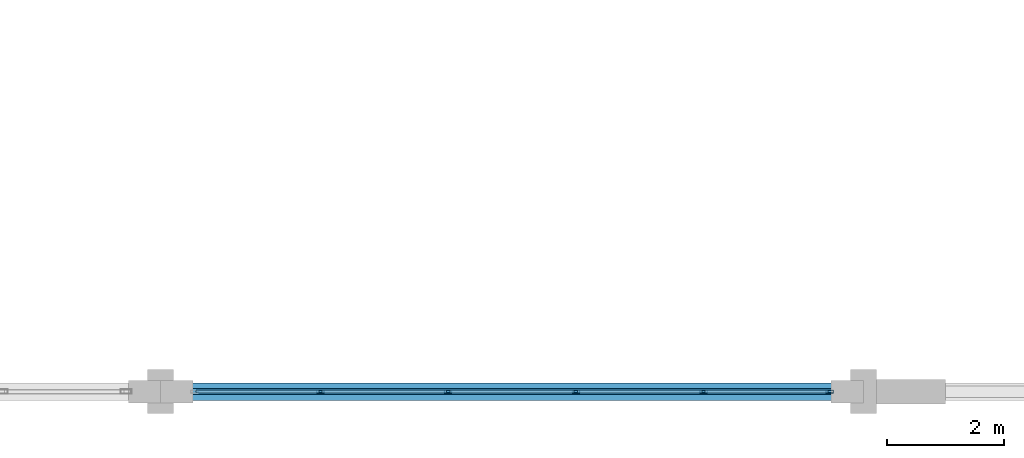
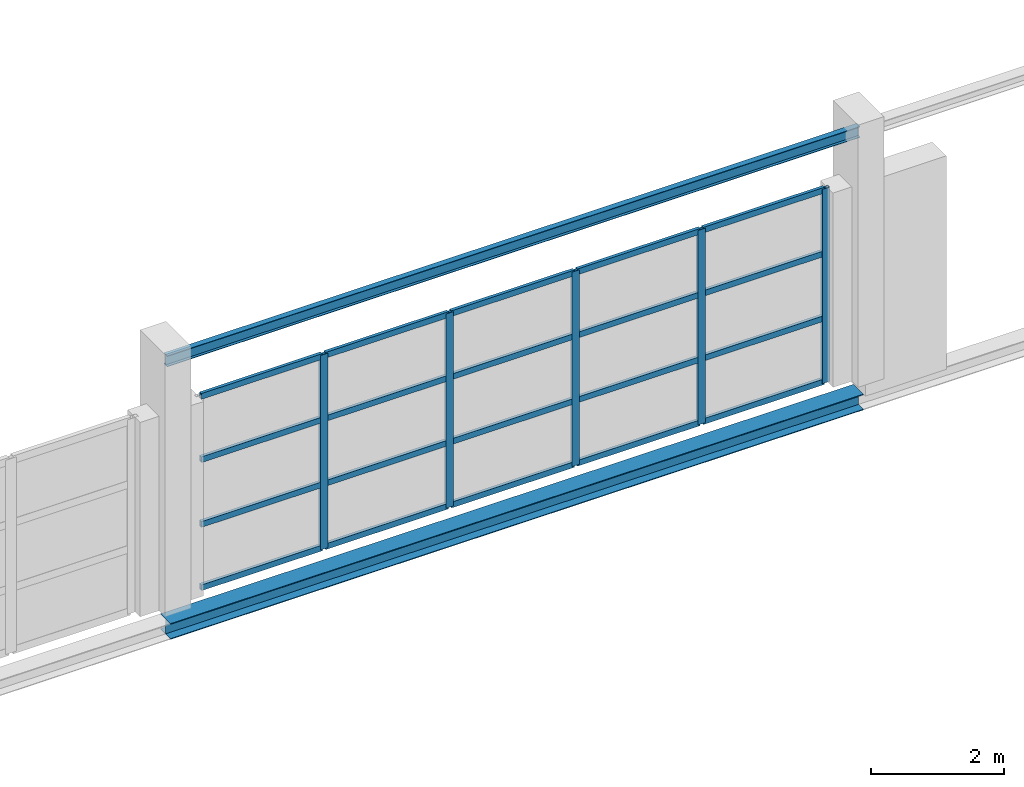
# One storey, part 75 of 147: 25 members, 2 beams, 1 element without a shape of its own.
"""IFC4 building model written with IfcOpenShell, lengths in metres."""

from ifc_helpers import new_model, si_unit, direction, frame, origin, origin_2d, place, context, subcontext, project, spatial, hollow_rectangle, i_section, extrude, material, layer, layer_set, material_profile, profile_set, type_object, element, aggregate, save


model = new_model("IFC4")

# Units and contexts
model_context = context("Model", 3, precision=1e-05, world=origin(), true_north=direction((0.0, 1.0)))
body_context = subcontext(model_context, "Body", "Model", "MODEL_VIEW")
ifc_project = project(units=[si_unit("LENGTHUNIT", "METRE"), si_unit("AREAUNIT", "SQUARE_METRE"), si_unit("VOLUMEUNIT", "CUBIC_METRE"), si_unit("PLANEANGLEUNIT", "RADIAN"), si_unit("MASSUNIT", "GRAM", prefix="KILO")], contexts=[model_context])

# Site, building, storey
site_placement = place(None, origin())
site = spatial("IfcSite", under=ifc_project, at=site_placement, CompositionType="ELEMENT")
building_placement = place(site_placement, origin())
building = spatial("IfcBuilding", under=site, at=building_placement, Name="Zilviju Railside Exhibition Hall", CompositionType="ELEMENT")
storey_placement = place(building_placement, frame((0.0, 0.0, 8.39990234375)))
storey = spatial("IfcBuildingStorey", under=building, at=storey_placement, Name="L03", CompositionType="ELEMENT", Elevation=8.39990234375)

# Beams
ifc_material_1 = material(Name="Steel S355J2", Category="steel")
ifc_material_profile_1 = material_profile(ifc_material_1, i_section(OverallWidth=0.300048828125, OverallDepth=0.2900390625, WebThickness=0.008544921875, FlangeThickness=0.013916015625, at=origin_2d()), Name="HEA 300")
ifc_profile_set_1 = profile_set([ifc_material_profile_1], Name="Steel S355J2")
beam_type_1 = type_object("IfcBeamType", Name="BM-HEA300", PredefinedType="SPANDREL", material=ifc_profile_set_1)
beam_1_placement = place(storey_placement, frame((180.0, 0.0, -0.48486328125), z_axis=(1.0, 0.0, 0.0), x_axis=(0.0, 1.0, 0.0)))
element("IfcBeam", 1, at=beam_1_placement, inside=storey, type_object=beam_type_1, Name="Primary Girder L03 Y=0.0 (180.0..192.0)", PredefinedType="SPANDREL", context=body_context, shape_type="SweptSolid", body=[
    extrude(i_section(OverallWidth=0.300048828125, OverallDepth=0.2900390625, WebThickness=0.008544921875, FlangeThickness=0.013916015625, at=origin_2d()), origin(), (0.0, 0.0, 1.0), 12.0),
])
ifc_material_profile_2 = material_profile(ifc_material_1, i_section(OverallWidth=0.10009765625, OverallDepth=0.199951171875, WebThickness=0.005615234375, FlangeThickness=0.008544921875, at=origin_2d()), Name="IPE 200")
ifc_profile_set_2 = profile_set([ifc_material_profile_2], Name="Steel S355J2")
beam_type_2 = type_object("IfcBeamType", Name="BM-IPE200", PredefinedType="LINTEL", material=ifc_profile_set_2)
beam_2_placement = place(storey_placement, frame((180.0, 0.0, 4.400146484375), z_axis=(1.0, 0.0, 0.0), x_axis=(0.0, 1.0, 0.0)))
element("IfcBeam", 2, at=beam_2_placement, inside=storey, type_object=beam_type_2, Name="Eave & Portal Spandrel Lintel 009", PredefinedType="LINTEL", context=body_context, shape_type="SweptSolid", body=[
    extrude(i_section(OverallWidth=0.10009765625, OverallDepth=0.199951171875, WebThickness=0.005615234375, FlangeThickness=0.008544921875, at=origin_2d()), origin(), (0.0, 0.0, 1.0), 12.0),
])

# Curtain wall, members
ifc_material_2 = material(Name="Thermally broken aluminium-steel triple-glazed curtain wall", Category="steel")
ifc_layer = layer(ifc_material_2, 0.179931640625)
ifc_layer_set = layer_set([ifc_layer], Name="Thermally broken aluminium-steel triple-glazed curtain wall")
curtain_wall_type = type_object("IfcCurtainWallType", Name="CW-BAY-02", PredefinedType="USERDEFINED", material=ifc_layer_set)
curtain_wall_placement = place(storey_placement, origin())
curtain_wall = element("IfcCurtainWall", 3, at=curtain_wall_placement, inside=storey, type_object=curtain_wall_type, Name="South Hall Facade Curtain Wall L03 (180..192)", ObjectType="GLAZED CURTAIN WALL", PredefinedType="USERDEFINED")
ifc_material_3 = material(Name="Thermally broken anodized aluminium mullion", Category="aluminium")
ifc_material_profile_3 = material_profile(ifc_material_3, hollow_rectangle(XDim=0.054931640625, YDim=0.1298828125, WallThickness=0.0048828125, at=origin_2d()), Name="MULLION 130x55x5")
ifc_profile_set_3 = profile_set([ifc_material_profile_3], Name="Thermally broken anodized aluminium mullion")
member_type_1 = type_object("IfcMemberType", Name="CWM-55x130", PredefinedType="MULLION", material=ifc_profile_set_3)
member_1_placement = place(storey_placement, frame((191.422607421875, 0.0, 0.0), z_axis=(0.0, 0.0, 1.0), x_axis=(0.0, -1.0, 0.0)))
member_1 = element("IfcMember", 4, at=member_1_placement, type_object=member_type_1, Name="CW-02 mullion 1", PredefinedType="MULLION", context=body_context, shape_type="SweptSolid", body=[
    extrude(hollow_rectangle(XDim=0.054931640625, YDim=0.1298828125, WallThickness=0.0048828125, at=origin_2d()), origin(), (0.0, 0.0, 1.0), 3.56005859375),
])
member_2_placement = place(storey_placement, frame((189.27001953125, 0.0, 0.0), z_axis=(0.0, 0.0, 1.0), x_axis=(0.0, -1.0, 0.0)))
member_2 = element("IfcMember", 5, at=member_2_placement, type_object=member_type_1, Name="CW-02 mullion 2", PredefinedType="MULLION", context=body_context, shape_type="SweptSolid", body=[
    extrude(hollow_rectangle(XDim=0.054931640625, YDim=0.1298828125, WallThickness=0.0048828125, at=origin_2d()), origin(), (0.0, 0.0, 1.0), 3.56005859375),
])
member_3_placement = place(storey_placement, frame((187.090087890625, 0.0, 0.0), z_axis=(0.0, 0.0, 1.0), x_axis=(0.0, -1.0, 0.0)))
member_3 = element("IfcMember", 6, at=member_3_placement, type_object=member_type_1, Name="CW-02 mullion 3", PredefinedType="MULLION", context=body_context, shape_type="SweptSolid", body=[
    extrude(hollow_rectangle(XDim=0.054931640625, YDim=0.1298828125, WallThickness=0.0048828125, at=origin_2d()), origin(), (0.0, 0.0, 1.0), 3.56005859375),
])
member_4_placement = place(storey_placement, frame((184.909912109375, 0.0, 0.0), z_axis=(0.0, 0.0, 1.0), x_axis=(0.0, -1.0, 0.0)))
member_4 = element("IfcMember", 7, at=member_4_placement, type_object=member_type_1, Name="CW-02 mullion 4", PredefinedType="MULLION", context=body_context, shape_type="SweptSolid", body=[
    extrude(hollow_rectangle(XDim=0.054931640625, YDim=0.1298828125, WallThickness=0.0048828125, at=origin_2d()), origin(), (0.0, 0.0, 1.0), 3.56005859375),
])
member_5_placement = place(storey_placement, frame((182.72998046875, 0.0, 0.0), z_axis=(0.0, 0.0, 1.0), x_axis=(0.0, -1.0, 0.0)))
member_5 = element("IfcMember", 8, at=member_5_placement, type_object=member_type_1, Name="CW-02 mullion 5", PredefinedType="MULLION", context=body_context, shape_type="SweptSolid", body=[
    extrude(hollow_rectangle(XDim=0.054931640625, YDim=0.1298828125, WallThickness=0.0048828125, at=origin_2d()), origin(), (0.0, 0.0, 1.0), 3.56005859375),
])
ifc_material_4 = material(Name="Thermally broken anodized aluminium transom", Category="aluminium")
ifc_material_profile_4 = material_profile(ifc_material_4, hollow_rectangle(XDim=0.054931640625, YDim=0.10498046875, WallThickness=0.0048828125, at=origin_2d()), Name="TRANSOM 105x55x5")
ifc_profile_set_4 = profile_set([ifc_material_profile_4], Name="Thermally broken anodized aluminium transom")
member_type_2 = type_object("IfcMemberType", Name="CWT-55x105", PredefinedType="USERDEFINED", material=ifc_profile_set_4)
member_6_placement = place(storey_placement, frame((191.39501953125, 0.0, 0.027587890625), z_axis=(-1.0, 0.0, 0.0), x_axis=(0.0, -1.0, 0.0)))
member_6 = element("IfcMember", 9, at=member_6_placement, type_object=member_type_2, Name="CW-02 transom 1.1", ObjectType="TRANSOM", PredefinedType="USERDEFINED", context=body_context, shape_type="SweptSolid", body=[
    extrude(hollow_rectangle(XDim=0.054931640625, YDim=0.10498046875, WallThickness=0.0048828125, at=origin_2d()), origin(), (0.0, 0.0, 1.0), 2.097412109375),
])
member_7_placement = place(storey_placement, frame((191.39501953125, 0.0, 1.18701171875), z_axis=(-1.0, 0.0, 0.0), x_axis=(0.0, -1.0, 0.0)))
member_7 = element("IfcMember", 10, at=member_7_placement, type_object=member_type_2, Name="CW-02 transom 1.2", ObjectType="TRANSOM", PredefinedType="USERDEFINED", context=body_context, shape_type="SweptSolid", body=[
    extrude(hollow_rectangle(XDim=0.054931640625, YDim=0.10498046875, WallThickness=0.0048828125, at=origin_2d()), origin(), (0.0, 0.0, 1.0), 2.097412109375),
])
member_8_placement = place(storey_placement, frame((191.39501953125, 0.0, 2.373046875), z_axis=(-1.0, 0.0, 0.0), x_axis=(0.0, -1.0, 0.0)))
member_8 = element("IfcMember", 11, at=member_8_placement, type_object=member_type_2, Name="CW-02 transom 1.3", ObjectType="TRANSOM", PredefinedType="USERDEFINED", context=body_context, shape_type="SweptSolid", body=[
    extrude(hollow_rectangle(XDim=0.054931640625, YDim=0.10498046875, WallThickness=0.0048828125, at=origin_2d()), origin(), (0.0, 0.0, 1.0), 2.097412109375),
])
member_9_placement = place(storey_placement, frame((191.39501953125, 0.0, 3.53271484375), z_axis=(-1.0, 0.0, 0.0), x_axis=(0.0, -1.0, 0.0)))
member_9 = element("IfcMember", 12, at=member_9_placement, type_object=member_type_2, Name="CW-02 transom 1.4", ObjectType="TRANSOM", PredefinedType="USERDEFINED", context=body_context, shape_type="SweptSolid", body=[
    extrude(hollow_rectangle(XDim=0.054931640625, YDim=0.10498046875, WallThickness=0.0048828125, at=origin_2d()), origin(), (0.0, 0.0, 1.0), 2.097412109375),
])
member_10_placement = place(storey_placement, frame((189.242431640625, 0.0, 0.027587890625), z_axis=(-1.0, 0.0, 0.0), x_axis=(0.0, -1.0, 0.0)))
member_10 = element("IfcMember", 13, at=member_10_placement, type_object=member_type_2, Name="CW-02 transom 2.1", ObjectType="TRANSOM", PredefinedType="USERDEFINED", context=body_context, shape_type="SweptSolid", body=[
    extrude(hollow_rectangle(XDim=0.054931640625, YDim=0.10498046875, WallThickness=0.0048828125, at=origin_2d()), origin(), (0.0, 0.0, 1.0), 2.125),
])
member_11_placement = place(storey_placement, frame((189.242431640625, 0.0, 1.18701171875), z_axis=(-1.0, 0.0, 0.0), x_axis=(0.0, -1.0, 0.0)))
member_11 = element("IfcMember", 14, at=member_11_placement, type_object=member_type_2, Name="CW-02 transom 2.2", ObjectType="TRANSOM", PredefinedType="USERDEFINED", context=body_context, shape_type="SweptSolid", body=[
    extrude(hollow_rectangle(XDim=0.054931640625, YDim=0.10498046875, WallThickness=0.0048828125, at=origin_2d()), origin(), (0.0, 0.0, 1.0), 2.125),
])
member_12_placement = place(storey_placement, frame((189.242431640625, 0.0, 2.373046875), z_axis=(-1.0, 0.0, 0.0), x_axis=(0.0, -1.0, 0.0)))
member_12 = element("IfcMember", 15, at=member_12_placement, type_object=member_type_2, Name="CW-02 transom 2.3", ObjectType="TRANSOM", PredefinedType="USERDEFINED", context=body_context, shape_type="SweptSolid", body=[
    extrude(hollow_rectangle(XDim=0.054931640625, YDim=0.10498046875, WallThickness=0.0048828125, at=origin_2d()), origin(), (0.0, 0.0, 1.0), 2.125),
])
member_13_placement = place(storey_placement, frame((189.242431640625, 0.0, 3.53271484375), z_axis=(-1.0, 0.0, 0.0), x_axis=(0.0, -1.0, 0.0)))
member_13 = element("IfcMember", 16, at=member_13_placement, type_object=member_type_2, Name="CW-02 transom 2.4", ObjectType="TRANSOM", PredefinedType="USERDEFINED", context=body_context, shape_type="SweptSolid", body=[
    extrude(hollow_rectangle(XDim=0.054931640625, YDim=0.10498046875, WallThickness=0.0048828125, at=origin_2d()), origin(), (0.0, 0.0, 1.0), 2.125),
])
member_14_placement = place(storey_placement, frame((187.0625, 0.0, 0.027587890625), z_axis=(-1.0, 0.0, 0.0), x_axis=(0.0, -1.0, 0.0)))
member_14 = element("IfcMember", 17, at=member_14_placement, type_object=member_type_2, Name="CW-02 transom 3.1", ObjectType="TRANSOM", PredefinedType="USERDEFINED", context=body_context, shape_type="SweptSolid", body=[
    extrude(hollow_rectangle(XDim=0.054931640625, YDim=0.10498046875, WallThickness=0.0048828125, at=origin_2d()), origin(), (0.0, 0.0, 1.0), 2.125),
])
member_15_placement = place(storey_placement, frame((187.0625, 0.0, 1.18701171875), z_axis=(-1.0, 0.0, 0.0), x_axis=(0.0, -1.0, 0.0)))
member_15 = element("IfcMember", 18, at=member_15_placement, type_object=member_type_2, Name="CW-02 transom 3.2", ObjectType="TRANSOM", PredefinedType="USERDEFINED", context=body_context, shape_type="SweptSolid", body=[
    extrude(hollow_rectangle(XDim=0.054931640625, YDim=0.10498046875, WallThickness=0.0048828125, at=origin_2d()), origin(), (0.0, 0.0, 1.0), 2.125),
])
member_16_placement = place(storey_placement, frame((187.0625, 0.0, 2.373046875), z_axis=(-1.0, 0.0, 0.0), x_axis=(0.0, -1.0, 0.0)))
member_16 = element("IfcMember", 19, at=member_16_placement, type_object=member_type_2, Name="CW-02 transom 3.3", ObjectType="TRANSOM", PredefinedType="USERDEFINED", context=body_context, shape_type="SweptSolid", body=[
    extrude(hollow_rectangle(XDim=0.054931640625, YDim=0.10498046875, WallThickness=0.0048828125, at=origin_2d()), origin(), (0.0, 0.0, 1.0), 2.125),
])
member_17_placement = place(storey_placement, frame((187.0625, 0.0, 3.53271484375), z_axis=(-1.0, 0.0, 0.0), x_axis=(0.0, -1.0, 0.0)))
member_17 = element("IfcMember", 20, at=member_17_placement, type_object=member_type_2, Name="CW-02 transom 3.4", ObjectType="TRANSOM", PredefinedType="USERDEFINED", context=body_context, shape_type="SweptSolid", body=[
    extrude(hollow_rectangle(XDim=0.054931640625, YDim=0.10498046875, WallThickness=0.0048828125, at=origin_2d()), origin(), (0.0, 0.0, 1.0), 2.125),
])
member_18_placement = place(storey_placement, frame((184.882568359375, 0.0, 0.027587890625), z_axis=(-1.0, 0.0, 0.0), x_axis=(0.0, -1.0, 0.0)))
member_18 = element("IfcMember", 21, at=member_18_placement, type_object=member_type_2, Name="CW-02 transom 4.1", ObjectType="TRANSOM", PredefinedType="USERDEFINED", context=body_context, shape_type="SweptSolid", body=[
    extrude(hollow_rectangle(XDim=0.054931640625, YDim=0.10498046875, WallThickness=0.0048828125, at=origin_2d()), origin(), (0.0, 0.0, 1.0), 2.125),
])
member_19_placement = place(storey_placement, frame((184.882568359375, 0.0, 1.18701171875), z_axis=(-1.0, 0.0, 0.0), x_axis=(0.0, -1.0, 0.0)))
member_19 = element("IfcMember", 22, at=member_19_placement, type_object=member_type_2, Name="CW-02 transom 4.2", ObjectType="TRANSOM", PredefinedType="USERDEFINED", context=body_context, shape_type="SweptSolid", body=[
    extrude(hollow_rectangle(XDim=0.054931640625, YDim=0.10498046875, WallThickness=0.0048828125, at=origin_2d()), origin(), (0.0, 0.0, 1.0), 2.125),
])
member_20_placement = place(storey_placement, frame((184.882568359375, 0.0, 2.373046875), z_axis=(-1.0, 0.0, 0.0), x_axis=(0.0, -1.0, 0.0)))
member_20 = element("IfcMember", 23, at=member_20_placement, type_object=member_type_2, Name="CW-02 transom 4.3", ObjectType="TRANSOM", PredefinedType="USERDEFINED", context=body_context, shape_type="SweptSolid", body=[
    extrude(hollow_rectangle(XDim=0.054931640625, YDim=0.10498046875, WallThickness=0.0048828125, at=origin_2d()), origin(), (0.0, 0.0, 1.0), 2.125),
])
member_21_placement = place(storey_placement, frame((184.882568359375, 0.0, 3.53271484375), z_axis=(-1.0, 0.0, 0.0), x_axis=(0.0, -1.0, 0.0)))
member_21 = element("IfcMember", 24, at=member_21_placement, type_object=member_type_2, Name="CW-02 transom 4.4", ObjectType="TRANSOM", PredefinedType="USERDEFINED", context=body_context, shape_type="SweptSolid", body=[
    extrude(hollow_rectangle(XDim=0.054931640625, YDim=0.10498046875, WallThickness=0.0048828125, at=origin_2d()), origin(), (0.0, 0.0, 1.0), 2.125),
])
member_22_placement = place(storey_placement, frame((182.702392578125, 0.0, 0.027587890625), z_axis=(-1.0, 0.0, 0.0), x_axis=(0.0, -1.0, 0.0)))
member_22 = element("IfcMember", 25, at=member_22_placement, type_object=member_type_2, Name="CW-02 transom 5.1", ObjectType="TRANSOM", PredefinedType="USERDEFINED", context=body_context, shape_type="SweptSolid", body=[
    extrude(hollow_rectangle(XDim=0.054931640625, YDim=0.10498046875, WallThickness=0.0048828125, at=origin_2d()), origin(), (0.0, 0.0, 1.0), 2.097412109375),
])
member_23_placement = place(storey_placement, frame((182.702392578125, 0.0, 1.18701171875), z_axis=(-1.0, 0.0, 0.0), x_axis=(0.0, -1.0, 0.0)))
member_23 = element("IfcMember", 26, at=member_23_placement, type_object=member_type_2, Name="CW-02 transom 5.2", ObjectType="TRANSOM", PredefinedType="USERDEFINED", context=body_context, shape_type="SweptSolid", body=[
    extrude(hollow_rectangle(XDim=0.054931640625, YDim=0.10498046875, WallThickness=0.0048828125, at=origin_2d()), origin(), (0.0, 0.0, 1.0), 2.097412109375),
])
member_24_placement = place(storey_placement, frame((182.702392578125, 0.0, 2.373046875), z_axis=(-1.0, 0.0, 0.0), x_axis=(0.0, -1.0, 0.0)))
member_24 = element("IfcMember", 27, at=member_24_placement, type_object=member_type_2, Name="CW-02 transom 5.3", ObjectType="TRANSOM", PredefinedType="USERDEFINED", context=body_context, shape_type="SweptSolid", body=[
    extrude(hollow_rectangle(XDim=0.054931640625, YDim=0.10498046875, WallThickness=0.0048828125, at=origin_2d()), origin(), (0.0, 0.0, 1.0), 2.097412109375),
])
member_25_placement = place(storey_placement, frame((182.702392578125, 0.0, 3.53271484375), z_axis=(-1.0, 0.0, 0.0), x_axis=(0.0, -1.0, 0.0)))
member_25 = element("IfcMember", 28, at=member_25_placement, type_object=member_type_2, Name="CW-02 transom 5.4", ObjectType="TRANSOM", PredefinedType="USERDEFINED", context=body_context, shape_type="SweptSolid", body=[
    extrude(hollow_rectangle(XDim=0.054931640625, YDim=0.10498046875, WallThickness=0.0048828125, at=origin_2d()), origin(), (0.0, 0.0, 1.0), 2.097412109375),
])
aggregate(curtain_wall, [member_1, member_2, member_3, member_4, member_5, member_6, member_7, member_8, member_9, member_10, member_11, member_12, member_13, member_14, member_15, member_16, member_17, member_18, member_19, member_20, member_21, member_22, member_23, member_24, member_25])

save(model, "model.ifc")
